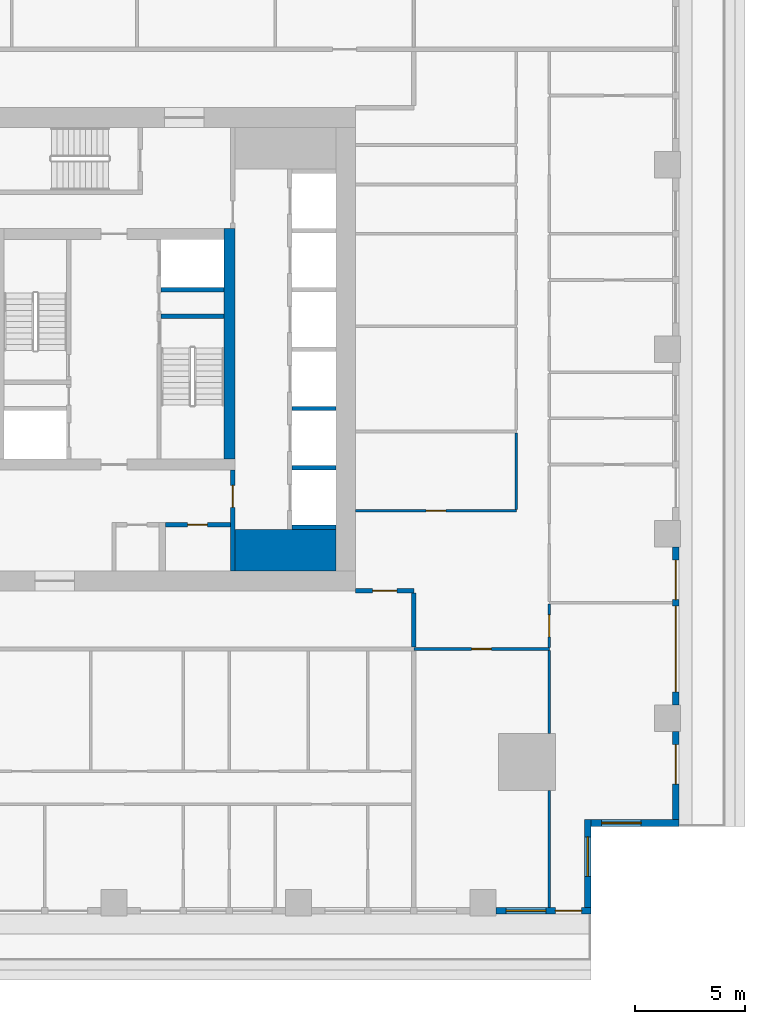
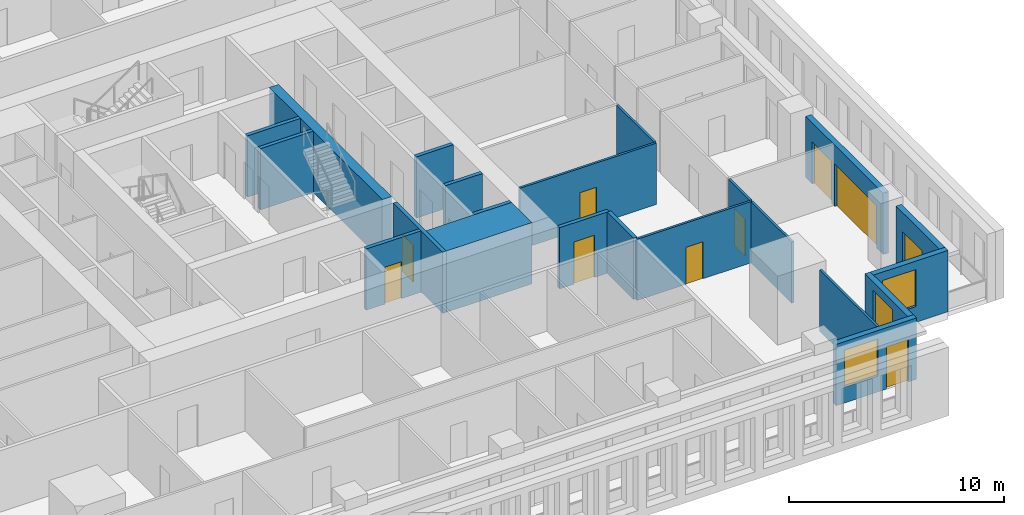
# One storey, part 5 of 16: 22 walls, 10 doors, 3 windows, 13 openings.
"""IFC4 building model written with IfcOpenShell, lengths in metres."""

import ifcopenshell
import ifcopenshell.guid

model = None  # the IFC model being written
_history = None  # IfcOwnerHistory: only IFC2X3 demands one
_inside = {}  # id of a spatial element -> (the spatial element, [elements in it])
_under = {}  # id of a project, library or spatial element -> (it, [spatial elements below it])
_declared = {}  # id of a project -> (the project, [libraries it declares])
_typed = {}  # id of a type object -> (the type object, [elements of that type])
_made_of = {}  # id of a material, layer set ... -> (it, [elements and type objects made of it])


def new_model(schema):
    """Start an empty IFC model of exactly this schema.

    Asked for "IFC4X3", IfcOpenShell would pick the latest addendum, in which some entities
    have other attributes; the version numbers below select the first issue.
    IFC2X3 requires an IfcOwnerHistory on every rooted entity: one is made here for all.
    """
    global model, _history
    if schema == "IFC4X3":
        model = ifcopenshell.file(schema_version=(4, 3, 0, 0))
    else:
        model = ifcopenshell.file(schema=schema)
    _inside.clear()
    _under.clear()
    _declared.clear()
    _typed.clear()
    _made_of.clear()
    _history = None
    if model.schema == "IFC2X3":
        org = make("IfcOrganization", Name="unknown")
        user = make(
            "IfcPersonAndOrganization",
            ThePerson=make("IfcPerson", FamilyName="unknown"),
            TheOrganization=org,
        )
        app = make(
            "IfcApplication",
            ApplicationDeveloper=org,
            Version="unknown",
            ApplicationFullName="unknown",
            ApplicationIdentifier="unknown",
        )
        _history = make(
            "IfcOwnerHistory",
            OwningUser=user,
            OwningApplication=app,
            ChangeAction="ADDED",
            CreationDate=0,
        )
    return model


def make(cls, **values):
    """One entity of the class cls with the attributes given. An attribute that is None is left unset."""
    return model.create_entity(
        cls, **{name: value for name, value in values.items() if value is not None}
    )


def rooted(cls, **values):
    """An entity with a GlobalId (a new one), such as an element, a storey or a relation."""
    return make(cls, GlobalId=ifcopenshell.guid.new(), OwnerHistory=_history, **values)


def si_unit(unit_type, name, prefix=None):
    """IfcSIUnit, for example si_unit("LENGTHUNIT", "METRE", prefix="MILLI")."""
    return make("IfcSIUnit", UnitType=unit_type, Prefix=prefix, Name=name)


def assignment(units):
    """IfcUnitAssignment: the units of a project."""
    return None if units is None else make("IfcUnitAssignment", Units=units)


def point(xyz):
    """IfcCartesianPoint."""
    return None if xyz is None else make("IfcCartesianPoint", Coordinates=xyz)


def direction(xyz):
    """IfcDirection."""
    return None if xyz is None else make("IfcDirection", DirectionRatios=xyz)


def frame(location, z_axis=None, x_axis=None):
    """IfcAxis2Placement3D, a coordinate frame: its origin and axes. An axis left out is left unset."""
    return make(
        "IfcAxis2Placement3D",
        Location=point(location),
        Axis=direction(z_axis),
        RefDirection=direction(x_axis),
    )


def frame_2d(location, x_axis=None):
    """IfcAxis2Placement2D, a coordinate frame in the plane: its origin and x axis."""
    return make(
        "IfcAxis2Placement2D", Location=point(location), RefDirection=direction(x_axis)
    )


def origin():
    """The frame at (0, 0, 0) with its axes left unset."""
    return frame((0.0, 0.0, 0.0))


def place(relative_to, where):
    """IfcLocalPlacement: puts the frame where relative to a parent placement (None: the world)."""
    return make(
        "IfcLocalPlacement", PlacementRelTo=relative_to, RelativePlacement=where
    )


def context(
    kind, dimensions, precision=None, world=None, true_north=None, identifier=None
):
    """IfcGeometricRepresentationContext, for example the 3D "Model" context."""
    return make(
        "IfcGeometricRepresentationContext",
        ContextIdentifier=identifier,
        ContextType=kind,
        CoordinateSpaceDimension=dimensions,
        Precision=precision,
        WorldCoordinateSystem=world,
        TrueNorth=true_north,
    )


def subcontext(parent, identifier, kind, view, scale=None):
    """IfcGeometricRepresentationSubContext, for example "Body" below "Model"."""
    return make(
        "IfcGeometricRepresentationSubContext",
        ContextIdentifier=identifier,
        ContextType=kind,
        ParentContext=parent,
        TargetScale=scale,
        TargetView=view,
    )


def project(units=None, contexts=None):
    """IfcProject with its units and contexts."""
    return rooted(
        "IfcProject",
        Name="project",
        RepresentationContexts=contexts,
        UnitsInContext=assignment(units),
    )


def spatial(cls, under=None, at=None, **own):
    """A site, building, storey or space (cls), placed at a placement, below another one or the project."""
    s = rooted(cls, ObjectPlacement=at, **own)
    if under is not None:
        _under.setdefault(under.id(), (under, []))[1].append(s)
    return s


def profile(cls, at=None, kind="AREA", **sizes):
    """A parametric profile (cls). Its sizes go by their IFC names, for example OverallWidth=200.0."""
    return make(cls, ProfileType=kind, Position=at, **sizes)


def rectangle(**sizes):
    """IfcRectangleProfileDef."""
    return profile("IfcRectangleProfileDef", **sizes)


def extrude(swept, where, along, depth):
    """IfcExtrudedAreaSolid: the profile swept, set in the frame where, extruded along a direction by depth."""
    return make(
        "IfcExtrudedAreaSolid",
        SweptArea=swept,
        Position=where,
        ExtrudedDirection=direction(along),
        Depth=depth,
    )


def shape(context_of_items, identifier, shape_type, items):
    """IfcShapeRepresentation: the items that make up one representation, for example the "Body"."""
    return make(
        "IfcShapeRepresentation",
        ContextOfItems=context_of_items,
        RepresentationIdentifier=identifier,
        RepresentationType=shape_type,
        Items=items,
    )


def material(Name=None, Category=None):
    """IfcMaterial."""
    return make("IfcMaterial", Name=Name, Category=Category)


def layer(
    of_material, thickness, ventilated=None, Name=None, Category=None, Priority=None
):
    """IfcMaterialLayer: one layer of a wall or slab, of a material (None: an air gap)."""
    return make(
        "IfcMaterialLayer",
        Material=of_material,
        LayerThickness=thickness,
        IsVentilated=ventilated,
        Name=Name,
        Category=Category,
        Priority=Priority,
    )


def layer_set(layers, Name=None):
    """IfcMaterialLayerSet."""
    return make("IfcMaterialLayerSet", MaterialLayers=layers, LayerSetName=Name)


def made_of(thing, what):
    """Note that an element or type object is made of a material, layer set ...; save() writes the relation."""
    if what is not None:
        _made_of.setdefault(what.id(), (what, []))[1].append(thing)
    return thing


def type_object(cls, material=None, **own):
    """A type object (cls), such as IfcWallType, which elements share."""
    return made_of(rooted(cls, **own), material)


def element(
    cls,
    number,
    at=None,
    inside=None,
    cuts=None,
    type_object=None,
    material=None,
    context=None,
    identifier="Body",
    shape_type=None,
    held_by="IfcProductDefinitionShape",
    body=None,
    shapes=None,
    **own,
):
    """One element of the class cls, such as IfcWall. Its Tag is "e" and its number.

    at: its placement. inside: the storey or other place that contains it. cuts: it is an
    opening in that element (IfcRelVoidsElement). A single representation is given by context,
    identifier, shape_type and body (its items); several are given by shapes. held_by: the class
    of the entity that holds the representations. save() writes the other relations.
    """
    e = rooted(cls, Tag="e%d" % number, ObjectPlacement=at, **own)
    if body is not None:
        shapes = [shape(context, identifier, shape_type, body)]
    if shapes is not None:
        e.Representation = make(held_by, Representations=shapes)
    if inside is not None:
        _inside.setdefault(inside.id(), (inside, []))[1].append(e)
    if cuts is not None:
        rooted(
            "IfcRelVoidsElement", RelatingBuildingElement=cuts, RelatedOpeningElement=e
        )
    if type_object is not None:
        _typed.setdefault(type_object.id(), (type_object, []))[1].append(e)
    return made_of(e, material)


def fill(opening, filler):
    """IfcRelFillsElement: the door or window that sits in an opening."""
    return rooted(
        "IfcRelFillsElement",
        RelatingOpeningElement=opening,
        RelatedBuildingElement=filler,
    )


def aggregate(whole, parts):
    """IfcRelAggregates: a whole, such as a stair, and the parts it consists of."""
    return rooted("IfcRelAggregates", RelatingObject=whole, RelatedObjects=parts)


def save(model, path):
    """Write the relations noted so far, then the file.

    IfcRelAggregates (storeys below a building ...), IfcRelContainedInSpatialStructure (elements
    in a storey), IfcRelDefinesByType, IfcRelAssociatesMaterial and IfcRelDeclares: one each for
    every whole, place, type object, material and project.
    """
    for whole, parts in _under.values():
        aggregate(whole, parts)
    for where, things in _inside.values():
        rooted(
            "IfcRelContainedInSpatialStructure",
            RelatedElements=things,
            RelatingStructure=where,
        )
    for kind, things in _typed.values():
        rooted("IfcRelDefinesByType", RelatedObjects=things, RelatingType=kind)
    for what, things in _made_of.values():
        rooted("IfcRelAssociatesMaterial", RelatedObjects=things, RelatingMaterial=what)
    for by, libraries in _declared.values():
        rooted("IfcRelDeclares", RelatingContext=by, RelatedDefinitions=libraries)
    model.write(path)


model = new_model("IFC4")

# Units and contexts
model_context = context("Model", 3, precision=1e-05, world=origin(), true_north=direction((0.0, 1.0)))
body_context = subcontext(model_context, "Body", "Model", "MODEL_VIEW")
ifc_project = project(units=[si_unit("LENGTHUNIT", "METRE"), si_unit("AREAUNIT", "SQUARE_METRE"), si_unit("VOLUMEUNIT", "CUBIC_METRE"), si_unit("PLANEANGLEUNIT", "RADIAN"), si_unit("MASSUNIT", "GRAM", prefix="KILO")], contexts=[model_context])

# Site, building, storey
site_placement = place(None, origin())
site = spatial("IfcSite", under=ifc_project, at=site_placement, CompositionType="ELEMENT")
building_placement = place(site_placement, origin())
building = spatial("IfcBuilding", under=site, at=building_placement, Name="Khepri Terraces", CompositionType="ELEMENT")
storey_placement = place(building_placement, frame((0.0, 0.0, 153.300048828125)))
storey = spatial("IfcBuildingStorey", under=building, at=storey_placement, Name="L36", CompositionType="ELEMENT", Elevation=153.300048828125)

# Walls
ifc_material_1 = material(Name="Concrete C60/75", Category="concrete")
ifc_layer_1 = layer(ifc_material_1, 1.89990234375, Name="Concrete C60/75", Category="concrete")
ifc_layer_set_1 = layer_set([ifc_layer_1], Name="Concrete C60/75")
wall_type_1 = type_object("IfcWallType", Name="Core wall 1900 C60/75", PredefinedType="SHEAR", material=ifc_layer_set_1)
wall_1_placement = place(storey_placement, frame((5.5, -9.14990234375, 0.0), z_axis=(0.0, 0.0, 1.0), x_axis=(1.0, 0.0, 0.0)))
element("IfcWall", 1, at=wall_1_placement, inside=storey, type_object=wall_type_1, Name="Core wall PR02 L36", PredefinedType="SHEAR", context=body_context, shape_type="SweptSolid", body=[
    extrude(rectangle(XDim=4.60009765625, YDim=1.89990234375, at=frame_2d((2.300048828125, 0.0))), origin(), (0.0, 0.0, 1.0), 3.47998046875),
])
ifc_layer_2 = layer(ifc_material_1, 0.199951171875, Name="Concrete C60/75", Category="concrete")
ifc_layer_set_2 = layer_set([ifc_layer_2], Name="Concrete C60/75")
wall_type_2 = type_object("IfcWallType", Name="Core wall 200 C60/75", PredefinedType="SHEAR", material=ifc_layer_set_2)
wall_2_placement = place(storey_placement, frame((2.14990234375, 1.5, 0.0), z_axis=(0.0, 0.0, 1.0), x_axis=(1.0, 0.0, 0.0)))
element("IfcWall", 2, at=wall_2_placement, inside=storey, type_object=wall_type_2, Name="Core wall ST04 L36", PredefinedType="SHEAR", context=body_context, shape_type="SweptSolid", body=[
    extrude(rectangle(XDim=2.85009765625, YDim=0.199951171875, at=frame_2d((1.425048828125, 0.0))), origin(), (0.0, 0.0, 1.0), 3.47998046875),
])
for number, where, z_axis, x_axis, name in (
    (3, (8.10009765625, -8.10009765625, 0.0), (0.0, 0.0, 1.0), (1.0, 0.0, 0.0), "Core wall SH03 L36"),
    (4, (8.10009765625, -5.39990234375, 0.0), (0.0, 0.0, 1.0), (1.0, 0.0, 0.0), "Core wall SH04 L36"),
    (5, (8.10009765625, -2.699951171875, 0.0), (0.0, 0.0, 1.0), (1.0, 0.0, 0.0), "Core wall SH08 L36"),
):
    element("IfcWall", number, at=place(storey_placement, frame(where, z_axis=z_axis, x_axis=x_axis)), inside=storey, type_object=wall_type_2, Name=name, PredefinedType="SHEAR", context=body_context, shape_type="SweptSolid", body=[
        extrude(rectangle(XDim=2.0, YDim=0.199951171875, at=frame_2d((1.0, 0.0))), origin(), (0.0, 0.0, 1.0), 3.47998046875),
    ])
wall_3_placement = place(storey_placement, frame((2.14990234375, 2.699951171875, 0.0), z_axis=(0.0, 0.0, 1.0), x_axis=(1.0, 0.0, 0.0)))
element("IfcWall", 6, at=wall_3_placement, inside=storey, type_object=wall_type_2, Name="Core wall SH12 L36", PredefinedType="SHEAR", context=body_context, shape_type="SweptSolid", body=[
    extrude(rectangle(XDim=2.85009765625, YDim=0.199951171875, at=frame_2d((1.425048828125, 0.0))), origin(), (0.0, 0.0, 1.0), 3.47998046875),
])
ifc_layer_3 = layer(ifc_material_1, 0.5, Name="Concrete C60/75", Category="concrete")
ifc_layer_set_3 = layer_set([ifc_layer_3], Name="Concrete C60/75")
wall_type_3 = type_object("IfcWallType", Name="Core wall 500 C60/75", PredefinedType="SHEAR", material=ifc_layer_set_3)
wall_4_placement = place(storey_placement, frame((5.25, -5.0, 0.0), z_axis=(0.0, 0.0, 1.0), x_axis=(0.0, 1.0, 0.0)))
element("IfcWall", 7, at=wall_4_placement, inside=storey, type_object=wall_type_3, Name="Core wall BX03 L36", PredefinedType="SHEAR", context=body_context, shape_type="SweptSolid", body=[
    extrude(rectangle(XDim=10.5, YDim=0.5, at=frame_2d((5.25, 0.0))), origin(), (0.0, 0.0, 1.0), 3.47998046875),
])

# Wall, opening, door
ifc_material_2 = material(Name="Fire-rated gypsum board partition")
ifc_layer_4 = layer(ifc_material_2, 0.199951171875, Name="Fire-rated gypsum board partition")
ifc_layer_set_4 = layer_set([ifc_layer_4], Name="Fire-rated gypsum board partition")
wall_type_4 = type_object("IfcWallType", Name="WL-CORE-PART-200", PredefinedType="PARTITIONING", material=ifc_layer_set_4)
wall_5_placement = place(storey_placement, frame((5.39990234375, -10.10009765625, 0.0), z_axis=(0.0, 0.0, 1.0), x_axis=(0.0, 1.0, 0.0)))
wall_5 = element("IfcWall", 8, at=wall_5_placement, inside=storey, type_object=wall_type_4, Name="Core partition PT04 L36", PredefinedType="PARTITIONING", context=body_context, shape_type="SweptSolid", body=[
    extrude(rectangle(XDim=4.60009765625, YDim=0.199951171875, at=frame_2d((2.300048828125, 0.0))), origin(), (0.0, 0.0, 1.0), 3.47998046875),
])
opening_1_placement = place(wall_5_placement, frame((2.89990234375, 0.0, 0.0)))
opening_1 = element("IfcOpeningElement", 9, at=opening_1_placement, cuts=wall_5, Name="Opening L36-C19", PredefinedType="OPENING", context=body_context, shape_type="SweptSolid", body=[
    extrude(rectangle(XDim=1.0, YDim=2.10009765625, at=frame_2d((0.5, 1.050048828125))), frame((0.0, 0.10986328125, 0.0), z_axis=(0.0, -1.0, 0.0), x_axis=(1.0, 0.0, 0.0)), (0.0, 0.0, 1.0), 0.219970703125),
])
ifc_material_3 = material(Name="Painted steel", Category="steel")
door_type_1 = type_object("IfcDoorType", Name="DR-CORE-LOBBY-1000", OperationType="NOTDEFINED", PredefinedType="DOOR", material=ifc_material_3)
door_1_placement = place(opening_1_placement, origin())
door_1 = element("IfcDoor", 10, at=door_1_placement, inside=storey, type_object=door_type_1, Name="Lobby door L36-C19", OperationType="SINGLE_SWING_RIGHT", OverallHeight=2.10009765625, OverallWidth=1.0, PredefinedType="DOOR", context=body_context, shape_type="SweptSolid", body=[
    extrude(rectangle(XDim=1.0, YDim=2.10009765625, at=frame_2d((0.5, 1.050048828125))), frame((0.0, 0.02490234375, 0.0), z_axis=(0.0, -1.0, 0.0), x_axis=(1.0, 0.0, 0.0)), (0.0, 0.0, 1.0), 0.050048828125),
])
fill(opening_1, door_1)

wall_6_placement = place(storey_placement, frame((2.35009765625, -8.0, 0.0), z_axis=(0.0, 0.0, 1.0), x_axis=(1.0, 0.0, 0.0)))
wall_6 = element("IfcWall", 11, at=wall_6_placement, inside=storey, type_object=wall_type_4, Name="Core partition PT07 L36", PredefinedType="PARTITIONING", context=body_context, shape_type="SweptSolid", body=[
    extrude(rectangle(XDim=2.949951171875, YDim=0.199951171875, at=frame_2d((1.47509765625, 0.0))), origin(), (0.0, 0.0, 1.0), 3.47998046875),
])
opening_2_placement = place(wall_6_placement, frame((1.0, 0.0, 0.0)))
opening_2 = element("IfcOpeningElement", 12, at=opening_2_placement, cuts=wall_6, Name="Opening L36-C23", PredefinedType="OPENING", context=body_context, shape_type="SweptSolid", body=[
    extrude(rectangle(XDim=0.89990234375, YDim=2.10009765625, at=frame_2d((0.449951171875, 1.050048828125))), frame((0.0, 0.10986328125, 0.0), z_axis=(0.0, -1.0, 0.0), x_axis=(1.0, 0.0, 0.0)), (0.0, 0.0, 1.0), 0.219970703125),
])
door_type_2 = type_object("IfcDoorType", Name="DR-CORE-SERVICE-900", OperationType="NOTDEFINED", PredefinedType="DOOR", material=ifc_material_3)
door_2_placement = place(opening_2_placement, frame((0.89990234375, 0.0, 0.0), z_axis=(0.0, 0.0, 1.0), x_axis=(-1.0, 0.0, 0.0)))
door_2 = element("IfcDoor", 13, at=door_2_placement, inside=storey, type_object=door_type_2, Name="Service room door L36-C23", OperationType="SINGLE_SWING_RIGHT", OverallHeight=2.10009765625, OverallWidth=0.89990234375, PredefinedType="DOOR", context=body_context, shape_type="SweptSolid", body=[
    extrude(rectangle(XDim=0.89990234375, YDim=2.10009765625, at=frame_2d((0.449951171875, 1.050048828125))), frame((0.0, 0.02490234375, 0.0), z_axis=(0.0, -1.0, 0.0), x_axis=(1.0, 0.0, 0.0)), (0.0, 0.0, 1.0), 0.050048828125),
])
fill(opening_2, door_2)

# Wall
ifc_material_4 = material(Name="Fire-rated gypsum plasterboard partition, mineral wool")
ifc_layer_5 = layer(ifc_material_4, 0.199951171875, Name="Fire-rated gypsum plasterboard partition, mineral wool")
ifc_layer_set_5 = layer_set([ifc_layer_5], Name="Fire-rated gypsum plasterboard partition, mineral wool")
wall_type_5 = type_object("IfcWallType", Name="WL-CORR-200", PredefinedType="PARTITIONING", material=ifc_layer_set_5)
wall_7_placement = place(storey_placement, frame((13.64990234375, -13.550048828125, 0.0), z_axis=(0.0, 0.0, 1.0), x_axis=(0.0, 1.0, 0.0)))
element("IfcWall", 14, at=wall_7_placement, inside=storey, type_object=wall_type_5, Name="Partition P-025 L36", PredefinedType="PARTITIONING", context=body_context, shape_type="SweptSolid", body=[
    extrude(rectangle(XDim=2.449951171875, YDim=0.199951171875, at=frame_2d((1.22509765625, 0.0))), origin(), (0.0, 0.0, 1.0), 3.47998046875),
])

# Wall, opening, door
wall_8_placement = place(storey_placement, frame((11.0, -11.0, 0.0), z_axis=(0.0, 0.0, 1.0), x_axis=(1.0, 0.0, 0.0)))
wall_8 = element("IfcWall", 15, at=wall_8_placement, inside=storey, type_object=wall_type_5, Name="Partition P-031 L36", PredefinedType="PARTITIONING", context=body_context, shape_type="SweptSolid", body=[
    extrude(rectangle(XDim=2.64990234375, YDim=0.199951171875, at=frame_2d((1.324951171875, 0.0))), origin(), (0.0, 0.0, 1.0), 3.47998046875),
])
opening_3_placement = place(wall_8_placement, frame((0.77490234375, 0.0, 0.0)))
opening_3 = element("IfcOpeningElement", 16, at=opening_3_placement, cuts=wall_8, Name="Opening D1", PredefinedType="OPENING", context=body_context, shape_type="SweptSolid", body=[
    extrude(rectangle(XDim=1.10009765625, YDim=2.39990234375, at=frame_2d((0.550048828125, 1.199951171875))), frame((0.0, 0.10986328125, 0.0), z_axis=(0.0, -1.0, 0.0), x_axis=(1.0, 0.0, 0.0)), (0.0, 0.0, 1.0), 0.219970703125),
])
ifc_material_5 = material(Name="Solid-core timber door leaf, flat entrance door", Category="wood")
door_type_3 = type_object("IfcDoorType", Name="DR-ENT-1100", OperationType="NOTDEFINED", PredefinedType="DOOR", material=ifc_material_5)
door_3_placement = place(opening_3_placement, origin())
door_3 = element("IfcDoor", 17, at=door_3_placement, inside=storey, type_object=door_type_3, Name="Flat B1 entrance door", OperationType="SINGLE_SWING_LEFT", OverallHeight=2.39990234375, OverallWidth=1.10009765625, PredefinedType="DOOR", context=body_context, shape_type="SweptSolid", body=[
    extrude(rectangle(XDim=1.10009765625, YDim=2.39990234375, at=frame_2d((0.550048828125, 1.199951171875))), frame((0.0, 0.02490234375, 0.0), z_axis=(0.0, -1.0, 0.0), x_axis=(1.0, 0.0, 0.0)), (0.0, 0.0, 1.0), 0.050048828125),
])
fill(opening_3, door_3)

# Wall, opening, window
ifc_material_6 = material(Name="Precast concrete C50/60 warm stone", Category="masonry")
ifc_layer_6 = layer(ifc_material_6, 0.300048828125, Name="Precast concrete C50/60 warm stone", Category="masonry")
ifc_layer_set_6 = layer_set([ifc_layer_6], Name="Precast concrete C50/60 warm stone")
wall_type_6 = type_object("IfcWallType", Name="WL-EXT-PRECAST-300", PredefinedType="STANDARD", material=ifc_layer_set_6)
wall_9_placement = place(storey_placement, frame((21.719970703125, -21.570068359375, 0.0), z_axis=(0.0, 0.0, 1.0), x_axis=(1.0, 0.0, 0.0)))
wall_9 = element("IfcWall", 18, at=wall_9_placement, inside=storey, type_object=wall_type_6, Name="External wall L36 S", PredefinedType="STANDARD", context=body_context, shape_type="SweptSolid", body=[
    extrude(rectangle(XDim=4.0, YDim=0.300048828125, at=frame_2d((2.0, 0.0))), origin(), (0.0, 0.0, 1.0), 3.47998046875),
])
opening_4_placement = place(wall_9_placement, frame((0.47998046875, 0.0, 0.89990234375)))
opening_4 = element("IfcOpeningElement", 19, at=opening_4_placement, cuts=wall_9, Name="Opening W1", PredefinedType="OPENING", context=body_context, shape_type="SweptSolid", body=[
    extrude(rectangle(XDim=1.800048828125, YDim=2.10009765625, at=frame_2d((0.89990234375, 1.050048828125))), frame((0.0, 0.16015625, 0.0), z_axis=(0.0, -1.0, 0.0), x_axis=(1.0, 0.0, 0.0)), (0.0, 0.0, 1.0), 0.320068359375),
])
ifc_material_7 = material(Name="Clear glass", Category="glass")
window_type = type_object("IfcWindowType", Name="WIN-RES-1800x2100", PartitioningType="SINGLE_PANEL", PredefinedType="WINDOW", material=ifc_material_7)
window_1_placement = place(opening_4_placement, origin())
window_1 = element("IfcWindow", 20, at=window_1_placement, inside=storey, type_object=window_type, Name="Window L36 S", OverallHeight=2.10009765625, OverallWidth=1.800048828125, PartitioningType="SINGLE_PANEL", PredefinedType="WINDOW", context=body_context, shape_type="SweptSolid", body=[
    extrude(rectangle(XDim=1.800048828125, YDim=2.10009765625, at=frame_2d((0.89990234375, 1.050048828125))), frame((0.0, 0.030029296875, 0.0), z_axis=(0.0, -1.0, 0.0), x_axis=(1.0, 0.0, 0.0)), (0.0, 0.0, 1.0), 0.06005859375),
])
fill(opening_4, window_1)

# Wall, opening, door
wall_10_placement = place(storey_placement, frame((25.570068359375, -21.419921875, 0.0), z_axis=(0.0, 0.0, 1.0), x_axis=(0.0, 1.0, 0.0)))
wall_10 = element("IfcWall", 21, at=wall_10_placement, inside=storey, type_object=wall_type_6, Name="External wall L36 E", PredefinedType="STANDARD", context=body_context, shape_type="SweptSolid", body=[
    extrude(rectangle(XDim=4.02001953125, YDim=0.300048828125, at=frame_2d((2.010009765625, 0.0))), origin(), (0.0, 0.0, 1.0), 3.47998046875),
])
opening_5_placement = place(wall_10_placement, frame((1.6201171875, 0.0, 0.0)))
opening_5 = element("IfcOpeningElement", 22, at=opening_5_placement, cuts=wall_10, Name="Opening ED-L36-01", PredefinedType="OPENING", context=body_context, shape_type="SweptSolid", body=[
    extrude(rectangle(XDim=1.800048828125, YDim=2.39990234375, at=frame_2d((0.89990234375, 1.199951171875))), frame((0.0, 0.16015625, 0.0), z_axis=(0.0, -1.0, 0.0), x_axis=(1.0, 0.0, 0.0)), (0.0, 0.0, 1.0), 0.320068359375),
])
ifc_material_8 = material(Name="Anodised aluminium bronze glazed door", Category="aluminium")
door_type_4 = type_object("IfcDoorType", Name="DR-BAL-SLIDE-1800x2400", OperationType="NOTDEFINED", PredefinedType="DOOR", material=ifc_material_8)
door_4_placement = place(opening_5_placement, origin())
door_4 = element("IfcDoor", 23, at=door_4_placement, inside=storey, type_object=door_type_4, Name="Balcony door L36 E", OperationType="SLIDING_TO_RIGHT", OverallHeight=2.39990234375, OverallWidth=1.800048828125, PredefinedType="DOOR", context=body_context, shape_type="SweptSolid", body=[
    extrude(rectangle(XDim=1.800048828125, YDim=2.39990234375, at=frame_2d((0.89990234375, 1.199951171875))), frame((0.0, 0.02490234375, 0.0), z_axis=(0.0, -1.0, 0.0), x_axis=(1.0, 0.0, 0.0)), (0.0, 0.0, 1.0), 0.050048828125),
])
fill(opening_5, door_4)

# Wall, openings, doors
wall_11_placement = place(storey_placement, frame((25.570068359375, -16.199951171875, 0.0), z_axis=(0.0, 0.0, 1.0), x_axis=(0.0, 1.0, 0.0)))
wall_11 = element("IfcWall", 24, at=wall_11_placement, inside=storey, type_object=wall_type_6, Name="External wall L36 E", PredefinedType="STANDARD", context=body_context, shape_type="SweptSolid", body=[
    extrude(rectangle(XDim=7.199951171875, YDim=0.300048828125, at=frame_2d((3.60009765625, 0.0))), origin(), (0.0, 0.0, 1.0), 3.47998046875),
])
opening_6_placement = place(wall_11_placement, frame((0.60009765625, 0.0, 0.0)))
opening_6 = element("IfcOpeningElement", 25, at=opening_6_placement, cuts=wall_11, Name="Opening ED-L36-02", PredefinedType="OPENING", context=body_context, shape_type="SweptSolid", body=[
    extrude(rectangle(XDim=3.89990234375, YDim=2.39990234375, at=frame_2d((1.949951171875, 1.199951171875))), frame((0.0, 0.16015625, 0.0), z_axis=(0.0, -1.0, 0.0), x_axis=(1.0, 0.0, 0.0)), (0.0, 0.0, 1.0), 0.320068359375),
])
opening_7_placement = place(wall_11_placement, frame((4.800048828125, 0.0, 0.0)))
opening_7 = element("IfcOpeningElement", 26, at=opening_7_placement, cuts=wall_11, Name="Opening ED-L36-03", PredefinedType="OPENING", context=body_context, shape_type="SweptSolid", body=[
    extrude(rectangle(XDim=1.800048828125, YDim=2.39990234375, at=frame_2d((0.89990234375, 1.199951171875))), frame((0.0, 0.16015625, 0.0), z_axis=(0.0, -1.0, 0.0), x_axis=(1.0, 0.0, 0.0)), (0.0, 0.0, 1.0), 0.320068359375),
])
door_5_placement = place(opening_7_placement, origin())
door_5 = element("IfcDoor", 27, at=door_5_placement, inside=storey, type_object=door_type_4, Name="Balcony door L36 E", OperationType="SLIDING_TO_RIGHT", OverallHeight=2.39990234375, OverallWidth=1.800048828125, PredefinedType="DOOR", context=body_context, shape_type="SweptSolid", body=[
    extrude(rectangle(XDim=1.800048828125, YDim=2.39990234375, at=frame_2d((0.89990234375, 1.199951171875))), frame((0.0, 0.02490234375, 0.0), z_axis=(0.0, -1.0, 0.0), x_axis=(1.0, 0.0, 0.0)), (0.0, 0.0, 1.0), 0.050048828125),
])
fill(opening_7, door_5)
door_type_5 = type_object("IfcDoorType", Name="DR-BAL-SLIDE-3900x2400", OperationType="NOTDEFINED", PredefinedType="DOOR", material=ifc_material_8)
door_6_placement = place(opening_6_placement, origin())
door_6 = element("IfcDoor", 28, at=door_6_placement, inside=storey, type_object=door_type_5, Name="Balcony door L36 E", OperationType="SLIDING_TO_LEFT", OverallHeight=2.39990234375, OverallWidth=3.89990234375, PredefinedType="DOOR", context=body_context, shape_type="SweptSolid", body=[
    extrude(rectangle(XDim=3.89990234375, YDim=2.39990234375, at=frame_2d((1.949951171875, 1.199951171875))), frame((0.0, 0.02490234375, 0.0), z_axis=(0.0, -1.0, 0.0), x_axis=(1.0, 0.0, 0.0)), (0.0, 0.0, 1.0), 0.050048828125),
])
fill(opening_6, door_6)

# Wall, openings, door, window
wall_12_placement = place(storey_placement, frame((17.39990234375, -25.570068359375, 0.0), z_axis=(0.0, 0.0, 1.0), x_axis=(1.0, 0.0, 0.0)))
wall_12 = element("IfcWall", 29, at=wall_12_placement, inside=storey, type_object=wall_type_6, Name="External wall L36 S", PredefinedType="STANDARD", context=body_context, shape_type="SweptSolid", body=[
    extrude(rectangle(XDim=4.320068359375, YDim=0.300048828125, at=frame_2d((2.16015625, 0.0))), origin(), (0.0, 0.0, 1.0), 3.47998046875),
])
opening_8_placement = place(wall_12_placement, frame((2.695068359375, 0.0, 0.0)))
opening_8 = element("IfcOpeningElement", 30, at=opening_8_placement, cuts=wall_12, Name="Opening ED-L36-19", PredefinedType="OPENING", context=body_context, shape_type="SweptSolid", body=[
    extrude(rectangle(XDim=1.199951171875, YDim=2.39990234375, at=frame_2d((0.60009765625, 1.199951171875))), frame((0.0, 0.16015625, 0.0), z_axis=(0.0, -1.0, 0.0), x_axis=(1.0, 0.0, 0.0)), (0.0, 0.0, 1.0), 0.320068359375),
])
opening_9_placement = place(wall_12_placement, frame((0.4599609375, 0.0, 0.89990234375)))
opening_9 = element("IfcOpeningElement", 31, at=opening_9_placement, cuts=wall_12, Name="Opening W1", PredefinedType="OPENING", context=body_context, shape_type="SweptSolid", body=[
    extrude(rectangle(XDim=1.800048828125, YDim=2.10009765625, at=frame_2d((0.89990234375, 1.050048828125))), frame((0.0, 0.16015625, 0.0), z_axis=(0.0, -1.0, 0.0), x_axis=(1.0, 0.0, 0.0)), (0.0, 0.0, 1.0), 0.320068359375),
])
door_type_6 = type_object("IfcDoorType", Name="DR-BAL-SLIDE-1200x2400", OperationType="NOTDEFINED", PredefinedType="DOOR", material=ifc_material_8)
door_7_placement = place(opening_8_placement, origin())
door_7 = element("IfcDoor", 32, at=door_7_placement, inside=storey, type_object=door_type_6, Name="Balcony door L36 S", OperationType="SLIDING_TO_LEFT", OverallHeight=2.39990234375, OverallWidth=1.199951171875, PredefinedType="DOOR", context=body_context, shape_type="SweptSolid", body=[
    extrude(rectangle(XDim=1.199951171875, YDim=2.39990234375, at=frame_2d((0.60009765625, 1.199951171875))), frame((0.0, 0.02490234375, 0.0), z_axis=(0.0, -1.0, 0.0), x_axis=(1.0, 0.0, 0.0)), (0.0, 0.0, 1.0), 0.050048828125),
])
fill(opening_8, door_7)
window_2_placement = place(opening_9_placement, origin())
window_2 = element("IfcWindow", 33, at=window_2_placement, inside=storey, type_object=window_type, Name="Window L36 S", OverallHeight=2.10009765625, OverallWidth=1.800048828125, PartitioningType="SINGLE_PANEL", PredefinedType="WINDOW", context=body_context, shape_type="SweptSolid", body=[
    extrude(rectangle(XDim=1.800048828125, YDim=2.10009765625, at=frame_2d((0.89990234375, 1.050048828125))), frame((0.0, 0.030029296875, 0.0), z_axis=(0.0, -1.0, 0.0), x_axis=(1.0, 0.0, 0.0)), (0.0, 0.0, 1.0), 0.06005859375),
])
fill(opening_9, window_2)

# Wall, opening, window
wall_13_placement = place(storey_placement, frame((21.570068359375, -25.419921875, 0.0), z_axis=(0.0, 0.0, 1.0), x_axis=(0.0, 1.0, 0.0)))
wall_13 = element("IfcWall", 34, at=wall_13_placement, inside=storey, type_object=wall_type_6, Name="External wall L36 E", PredefinedType="STANDARD", context=body_context, shape_type="SweptSolid", body=[
    extrude(rectangle(XDim=4.0, YDim=0.300048828125, at=frame_2d((2.0, 0.0))), origin(), (0.0, 0.0, 1.0), 3.47998046875),
])
opening_10_placement = place(wall_13_placement, frame((1.419921875, 0.0, 0.89990234375)))
opening_10 = element("IfcOpeningElement", 35, at=opening_10_placement, cuts=wall_13, Name="Opening W1", PredefinedType="OPENING", context=body_context, shape_type="SweptSolid", body=[
    extrude(rectangle(XDim=1.800048828125, YDim=2.10009765625, at=frame_2d((0.89990234375, 1.050048828125))), frame((0.0, 0.16015625, 0.0), z_axis=(0.0, -1.0, 0.0), x_axis=(1.0, 0.0, 0.0)), (0.0, 0.0, 1.0), 0.320068359375),
])
window_3_placement = place(opening_10_placement, origin())
window_3 = element("IfcWindow", 36, at=window_3_placement, inside=storey, type_object=window_type, Name="Window L36 E", OverallHeight=2.10009765625, OverallWidth=1.800048828125, PartitioningType="SINGLE_PANEL", PredefinedType="WINDOW", context=body_context, shape_type="SweptSolid", body=[
    extrude(rectangle(XDim=1.800048828125, YDim=2.10009765625, at=frame_2d((0.89990234375, 1.050048828125))), frame((0.0, 0.030029296875, 0.0), z_axis=(0.0, -1.0, 0.0), x_axis=(1.0, 0.0, 0.0)), (0.0, 0.0, 1.0), 0.06005859375),
])
fill(opening_10, window_3)

# Walls
ifc_material_9 = material(Name="Gypsum plasterboard partition")
ifc_layer_7 = layer(ifc_material_9, 0.1201171875, Name="Gypsum plasterboard partition")
ifc_layer_set_7 = layer_set([ifc_layer_7], Name="Gypsum plasterboard partition")
wall_type_7 = type_object("IfcWallType", Name="WL-PART-120", PredefinedType="PARTITIONING", material=ifc_layer_set_7)
wall_14_placement = place(storey_placement, frame((19.820068359375, -25.419921875, 0.0), z_axis=(0.0, 0.0, 1.0), x_axis=(0.0, 1.0, 0.0)))
element("IfcWall", 37, at=wall_14_placement, inside=storey, type_object=wall_type_7, Name="Partition P-008 L36", PredefinedType="PARTITIONING", context=body_context, shape_type="SweptSolid", body=[
    extrude(rectangle(XDim=5.31982421875, YDim=0.1201171875, at=frame_2d((2.659912109375, 0.0))), origin(), (0.0, 0.0, 1.0), 3.47998046875),
])
wall_15_placement = place(storey_placement, frame((19.820068359375, -17.5, 0.0), z_axis=(0.0, 0.0, 1.0), x_axis=(0.0, 1.0, 0.0)))
element("IfcWall", 38, at=wall_15_placement, inside=storey, type_object=wall_type_7, Name="Partition P-018 L36", PredefinedType="PARTITIONING", context=body_context, shape_type="SweptSolid", body=[
    extrude(rectangle(XDim=3.7900390625, YDim=0.1201171875, at=frame_2d((1.89501953125, 0.0))), origin(), (0.0, 0.0, 1.0), 3.47998046875),
])

# Wall, opening, door
wall_16_placement = place(storey_placement, frame((13.64990234375, -13.64990234375, 0.0), z_axis=(0.0, 0.0, 1.0), x_axis=(1.0, 0.0, 0.0)))
wall_16 = element("IfcWall", 39, at=wall_16_placement, inside=storey, type_object=wall_type_7, Name="Partition P-020 L36", PredefinedType="PARTITIONING", context=body_context, shape_type="SweptSolid", body=[
    extrude(rectangle(XDim=6.170166015625, YDim=0.1201171875, at=frame_2d((3.0849609375, 0.0))), origin(), (0.0, 0.0, 1.0), 3.47998046875),
])
opening_11_placement = place(wall_16_placement, frame((2.635009765625, 0.0, 0.0)))
opening_11 = element("IfcOpeningElement", 40, at=opening_11_placement, cuts=wall_16, Name="Opening D3", PredefinedType="OPENING", context=body_context, shape_type="SweptSolid", body=[
    extrude(rectangle(XDim=0.89990234375, YDim=2.10009765625, at=frame_2d((0.449951171875, 1.050048828125))), frame((0.0, 0.070068359375, 0.0), z_axis=(0.0, -1.0, 0.0), x_axis=(1.0, 0.0, 0.0)), (0.0, 0.0, 1.0), 0.14013671875),
])
ifc_material_10 = material(Name="Timber door leaf", Category="wood")
door_type_7 = type_object("IfcDoorType", Name="DR-INT-900", OperationType="NOTDEFINED", PredefinedType="DOOR", material=ifc_material_10)
door_8_placement = place(opening_11_placement, frame((0.89990234375, 0.0, 0.0), z_axis=(0.0, 0.0, 1.0), x_axis=(-1.0, 0.0, 0.0)))
door_8 = element("IfcDoor", 41, at=door_8_placement, inside=storey, type_object=door_type_7, Name="Door Home Cinema", OperationType="SINGLE_SWING_RIGHT", OverallHeight=2.10009765625, OverallWidth=0.89990234375, PredefinedType="DOOR", context=body_context, shape_type="SweptSolid", body=[
    extrude(rectangle(XDim=0.89990234375, YDim=2.10009765625, at=frame_2d((0.449951171875, 1.050048828125))), frame((0.0, 0.02490234375, 0.0), z_axis=(0.0, -1.0, 0.0), x_axis=(1.0, 0.0, 0.0)), (0.0, 0.0, 1.0), 0.050048828125),
])
fill(opening_11, door_8)

wall_17_placement = place(storey_placement, frame((19.820068359375, -13.590087890625, 0.0), z_axis=(0.0, 0.0, 1.0), x_axis=(0.0, 1.0, 0.0)))
wall_17 = element("IfcWall", 42, at=wall_17_placement, inside=storey, type_object=wall_type_7, Name="Partition P-021 L36", PredefinedType="PARTITIONING", context=body_context, shape_type="SweptSolid", body=[
    extrude(rectangle(XDim=1.97998046875, YDim=0.1201171875, at=frame_2d((0.989990234375, 0.0))), origin(), (0.0, 0.0, 1.0), 3.47998046875),
])
opening_12_placement = place(wall_17_placement, frame((0.489990234375, 0.0, 0.0)))
opening_12 = element("IfcOpeningElement", 43, at=opening_12_placement, cuts=wall_17, Name="Opening D2", PredefinedType="OPENING", context=body_context, shape_type="SweptSolid", body=[
    extrude(rectangle(XDim=1.0, YDim=2.10009765625, at=frame_2d((0.5, 1.050048828125))), frame((0.0, 0.070068359375, 0.0), z_axis=(0.0, -1.0, 0.0), x_axis=(1.0, 0.0, 0.0)), (0.0, 0.0, 1.0), 0.14013671875),
])
ifc_material_11 = material(Name="Timber door leaf, living room door", Category="wood")
door_type_8 = type_object("IfcDoorType", Name="DR-INT-1000", OperationType="NOTDEFINED", PredefinedType="DOOR", material=ifc_material_11)
door_9_placement = place(opening_12_placement, frame((1.0, 0.0, 0.0), z_axis=(0.0, 0.0, 1.0), x_axis=(-1.0, 0.0, 0.0)))
door_9 = element("IfcDoor", 44, at=door_9_placement, inside=storey, type_object=door_type_8, Name="Door Living Room", OperationType="SINGLE_SWING_RIGHT", OverallHeight=2.10009765625, OverallWidth=1.0, PredefinedType="DOOR", context=body_context, shape_type="SweptSolid", body=[
    extrude(rectangle(XDim=1.0, YDim=2.10009765625, at=frame_2d((0.5, 1.050048828125))), frame((0.0, 0.02490234375, 0.0), z_axis=(0.0, -1.0, 0.0), x_axis=(1.0, 0.0, 0.0)), (0.0, 0.0, 1.0), 0.050048828125),
])
fill(opening_12, door_9)

wall_18_placement = place(storey_placement, frame((11.0, -7.35009765625, 0.0), z_axis=(0.0, 0.0, 1.0), x_axis=(1.0, 0.0, 0.0)))
wall_18 = element("IfcWall", 45, at=wall_18_placement, inside=storey, type_object=wall_type_7, Name="Partition P-036 L36", PredefinedType="PARTITIONING", context=body_context, shape_type="SweptSolid", body=[
    extrude(rectangle(XDim=7.320068359375, YDim=0.1201171875, at=frame_2d((3.66015625, 0.0))), origin(), (0.0, 0.0, 1.0), 3.47998046875),
])
opening_13_placement = place(wall_18_placement, frame((3.2099609375, 0.0, 0.0)))
opening_13 = element("IfcOpeningElement", 46, at=opening_13_placement, cuts=wall_18, Name="Opening D3", PredefinedType="OPENING", context=body_context, shape_type="SweptSolid", body=[
    extrude(rectangle(XDim=0.89990234375, YDim=2.10009765625, at=frame_2d((0.449951171875, 1.050048828125))), frame((0.0, 0.070068359375, 0.0), z_axis=(0.0, -1.0, 0.0), x_axis=(1.0, 0.0, 0.0)), (0.0, 0.0, 1.0), 0.14013671875),
])
door_10_placement = place(opening_13_placement, origin())
door_10 = element("IfcDoor", 47, at=door_10_placement, inside=storey, type_object=door_type_7, Name="Door Kitchen", OperationType="SINGLE_SWING_RIGHT", OverallHeight=2.10009765625, OverallWidth=0.89990234375, PredefinedType="DOOR", context=body_context, shape_type="SweptSolid", body=[
    extrude(rectangle(XDim=0.89990234375, YDim=2.10009765625, at=frame_2d((0.449951171875, 1.050048828125))), frame((0.0, 0.02490234375, 0.0), z_axis=(0.0, -1.0, 0.0), x_axis=(1.0, 0.0, 0.0)), (0.0, 0.0, 1.0), 0.050048828125),
])
fill(opening_13, door_10)

# Wall
wall_19_placement = place(storey_placement, frame((18.320068359375, -7.2900390625, 0.0), z_axis=(0.0, 0.0, 1.0), x_axis=(0.0, 1.0, 0.0)))
element("IfcWall", 48, at=wall_19_placement, inside=storey, type_object=wall_type_7, Name="Partition P-039 L36", PredefinedType="PARTITIONING", context=body_context, shape_type="SweptSolid", body=[
    extrude(rectangle(XDim=3.47998046875, YDim=0.1201171875, at=frame_2d((1.739990234375, 0.0))), origin(), (0.0, 0.0, 1.0), 3.47998046875),
])

save(model, "model.ifc")
